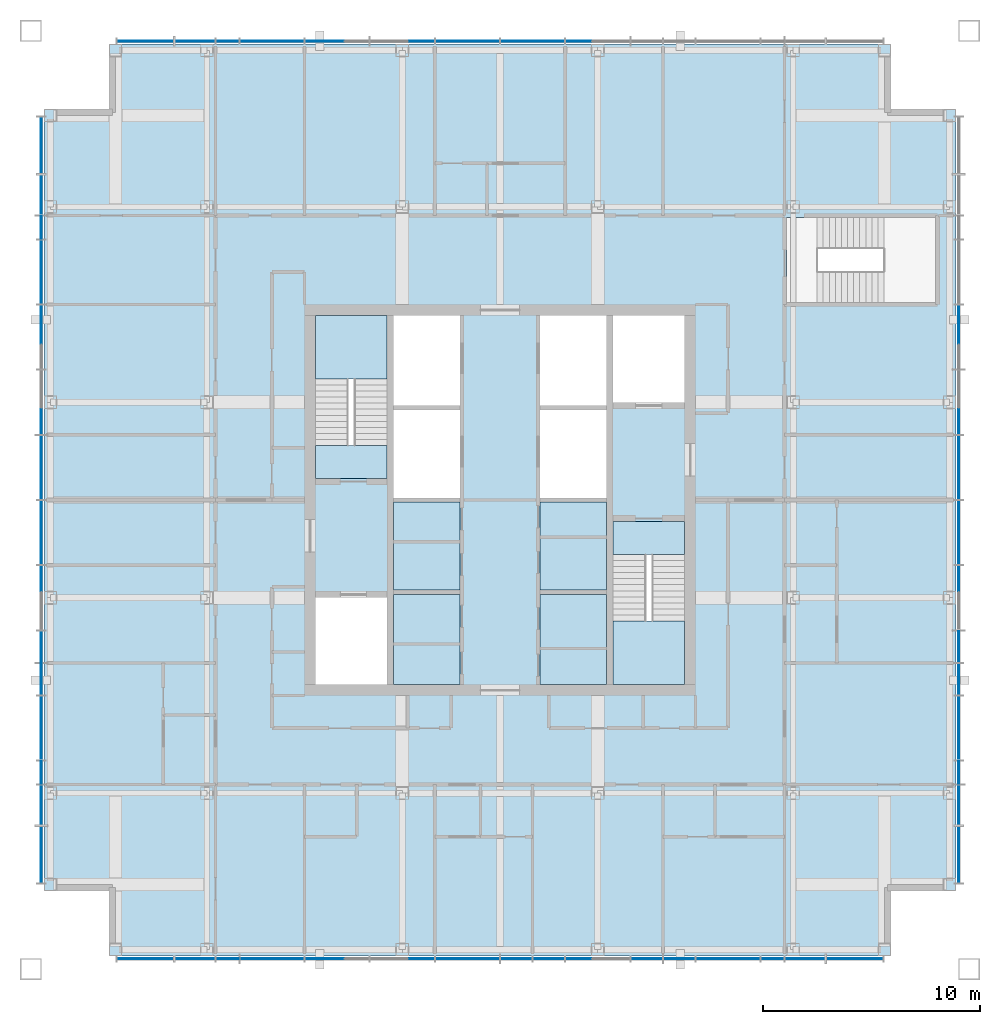
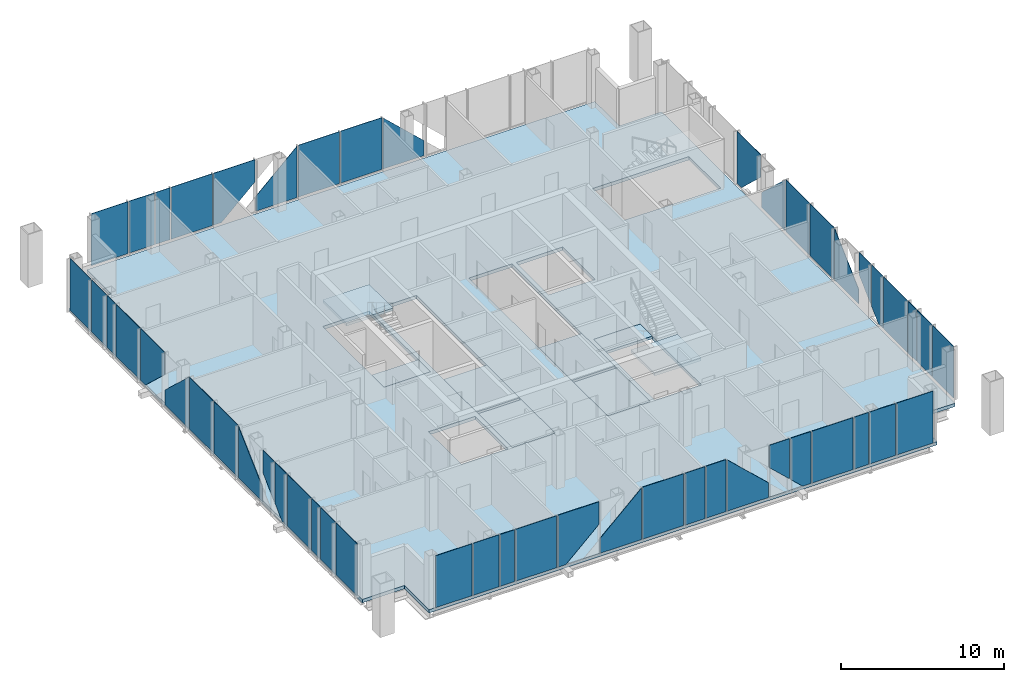
# One storey, part 6 of 12: 51 plates, 9 slabs, 6 elements without a shape of their own.
"""IFC4 building model written with IfcOpenShell, lengths in metres."""

import ifcopenshell
import ifcopenshell.guid

model = None  # the IFC model being written
_history = None  # IfcOwnerHistory: only IFC2X3 demands one
_inside = {}  # id of a spatial element -> (the spatial element, [elements in it])
_under = {}  # id of a project, library or spatial element -> (it, [spatial elements below it])
_declared = {}  # id of a project -> (the project, [libraries it declares])
_typed = {}  # id of a type object -> (the type object, [elements of that type])
_made_of = {}  # id of a material, layer set ... -> (it, [elements and type objects made of it])


def new_model(schema):
    """Start an empty IFC model of exactly this schema.

    Asked for "IFC4X3", IfcOpenShell would pick the latest addendum, in which some entities
    have other attributes; the version numbers below select the first issue.
    IFC2X3 requires an IfcOwnerHistory on every rooted entity: one is made here for all.
    """
    global model, _history
    if schema == "IFC4X3":
        model = ifcopenshell.file(schema_version=(4, 3, 0, 0))
    else:
        model = ifcopenshell.file(schema=schema)
    _inside.clear()
    _under.clear()
    _declared.clear()
    _typed.clear()
    _made_of.clear()
    _history = None
    if model.schema == "IFC2X3":
        org = make("IfcOrganization", Name="unknown")
        user = make(
            "IfcPersonAndOrganization",
            ThePerson=make("IfcPerson", FamilyName="unknown"),
            TheOrganization=org,
        )
        app = make(
            "IfcApplication",
            ApplicationDeveloper=org,
            Version="unknown",
            ApplicationFullName="unknown",
            ApplicationIdentifier="unknown",
        )
        _history = make(
            "IfcOwnerHistory",
            OwningUser=user,
            OwningApplication=app,
            ChangeAction="ADDED",
            CreationDate=0,
        )
    return model


def make(cls, **values):
    """One entity of the class cls with the attributes given. An attribute that is None is left unset."""
    return model.create_entity(
        cls, **{name: value for name, value in values.items() if value is not None}
    )


def rooted(cls, **values):
    """An entity with a GlobalId (a new one), such as an element, a storey or a relation."""
    return make(cls, GlobalId=ifcopenshell.guid.new(), OwnerHistory=_history, **values)


def si_unit(unit_type, name, prefix=None):
    """IfcSIUnit, for example si_unit("LENGTHUNIT", "METRE", prefix="MILLI")."""
    return make("IfcSIUnit", UnitType=unit_type, Prefix=prefix, Name=name)


def assignment(units):
    """IfcUnitAssignment: the units of a project."""
    return None if units is None else make("IfcUnitAssignment", Units=units)


def point(xyz):
    """IfcCartesianPoint."""
    return None if xyz is None else make("IfcCartesianPoint", Coordinates=xyz)


def direction(xyz):
    """IfcDirection."""
    return None if xyz is None else make("IfcDirection", DirectionRatios=xyz)


def frame(location, z_axis=None, x_axis=None):
    """IfcAxis2Placement3D, a coordinate frame: its origin and axes. An axis left out is left unset."""
    return make(
        "IfcAxis2Placement3D",
        Location=point(location),
        Axis=direction(z_axis),
        RefDirection=direction(x_axis),
    )


def frame_2d(location, x_axis=None):
    """IfcAxis2Placement2D, a coordinate frame in the plane: its origin and x axis."""
    return make(
        "IfcAxis2Placement2D", Location=point(location), RefDirection=direction(x_axis)
    )


def origin():
    """The frame at (0, 0, 0) with its axes left unset."""
    return frame((0.0, 0.0, 0.0))


def origin_2d():
    """The frame at (0, 0) in the plane with its x axis left unset."""
    return frame_2d((0.0, 0.0))


def place(relative_to, where):
    """IfcLocalPlacement: puts the frame where relative to a parent placement (None: the world)."""
    return make(
        "IfcLocalPlacement", PlacementRelTo=relative_to, RelativePlacement=where
    )


def context(
    kind, dimensions, precision=None, world=None, true_north=None, identifier=None
):
    """IfcGeometricRepresentationContext, for example the 3D "Model" context."""
    return make(
        "IfcGeometricRepresentationContext",
        ContextIdentifier=identifier,
        ContextType=kind,
        CoordinateSpaceDimension=dimensions,
        Precision=precision,
        WorldCoordinateSystem=world,
        TrueNorth=true_north,
    )


def subcontext(parent, identifier, kind, view, scale=None):
    """IfcGeometricRepresentationSubContext, for example "Body" below "Model"."""
    return make(
        "IfcGeometricRepresentationSubContext",
        ContextIdentifier=identifier,
        ContextType=kind,
        ParentContext=parent,
        TargetScale=scale,
        TargetView=view,
    )


def project(units=None, contexts=None):
    """IfcProject with its units and contexts."""
    return rooted(
        "IfcProject",
        Name="project",
        RepresentationContexts=contexts,
        UnitsInContext=assignment(units),
    )


def spatial(cls, under=None, at=None, **own):
    """A site, building, storey or space (cls), placed at a placement, below another one or the project."""
    s = rooted(cls, ObjectPlacement=at, **own)
    if under is not None:
        _under.setdefault(under.id(), (under, []))[1].append(s)
    return s


def polyline(points):
    """IfcPolyline through the points."""
    return make("IfcPolyline", Points=[point(p) for p in points])


def profile(cls, at=None, kind="AREA", **sizes):
    """A parametric profile (cls). Its sizes go by their IFC names, for example OverallWidth=200.0."""
    return make(cls, ProfileType=kind, Position=at, **sizes)


def rectangle(**sizes):
    """IfcRectangleProfileDef."""
    return profile("IfcRectangleProfileDef", **sizes)


def outline(outer, holes=None, kind="AREA"):
    """IfcArbitraryClosedProfileDef: a profile drawn as a closed curve; with holes, ...WithVoids."""
    if holes is None:
        return make("IfcArbitraryClosedProfileDef", ProfileType=kind, OuterCurve=outer)
    return make(
        "IfcArbitraryProfileDefWithVoids",
        ProfileType=kind,
        OuterCurve=outer,
        InnerCurves=holes,
    )


def extrude(swept, where, along, depth):
    """IfcExtrudedAreaSolid: the profile swept, set in the frame where, extruded along a direction by depth."""
    return make(
        "IfcExtrudedAreaSolid",
        SweptArea=swept,
        Position=where,
        ExtrudedDirection=direction(along),
        Depth=depth,
    )


def shape(context_of_items, identifier, shape_type, items):
    """IfcShapeRepresentation: the items that make up one representation, for example the "Body"."""
    return make(
        "IfcShapeRepresentation",
        ContextOfItems=context_of_items,
        RepresentationIdentifier=identifier,
        RepresentationType=shape_type,
        Items=items,
    )


def material(Name=None, Category=None):
    """IfcMaterial."""
    return make("IfcMaterial", Name=Name, Category=Category)


def layer(
    of_material, thickness, ventilated=None, Name=None, Category=None, Priority=None
):
    """IfcMaterialLayer: one layer of a wall or slab, of a material (None: an air gap)."""
    return make(
        "IfcMaterialLayer",
        Material=of_material,
        LayerThickness=thickness,
        IsVentilated=ventilated,
        Name=Name,
        Category=Category,
        Priority=Priority,
    )


def layer_set(layers, Name=None):
    """IfcMaterialLayerSet."""
    return make("IfcMaterialLayerSet", MaterialLayers=layers, LayerSetName=Name)


def made_of(thing, what):
    """Note that an element or type object is made of a material, layer set ...; save() writes the relation."""
    if what is not None:
        _made_of.setdefault(what.id(), (what, []))[1].append(thing)
    return thing


def type_object(cls, material=None, **own):
    """A type object (cls), such as IfcWallType, which elements share."""
    return made_of(rooted(cls, **own), material)


def element(
    cls,
    number,
    at=None,
    inside=None,
    cuts=None,
    type_object=None,
    material=None,
    context=None,
    identifier="Body",
    shape_type=None,
    held_by="IfcProductDefinitionShape",
    body=None,
    shapes=None,
    **own,
):
    """One element of the class cls, such as IfcWall. Its Tag is "e" and its number.

    at: its placement. inside: the storey or other place that contains it. cuts: it is an
    opening in that element (IfcRelVoidsElement). A single representation is given by context,
    identifier, shape_type and body (its items); several are given by shapes. held_by: the class
    of the entity that holds the representations. save() writes the other relations.
    """
    e = rooted(cls, Tag="e%d" % number, ObjectPlacement=at, **own)
    if body is not None:
        shapes = [shape(context, identifier, shape_type, body)]
    if shapes is not None:
        e.Representation = make(held_by, Representations=shapes)
    if inside is not None:
        _inside.setdefault(inside.id(), (inside, []))[1].append(e)
    if cuts is not None:
        rooted(
            "IfcRelVoidsElement", RelatingBuildingElement=cuts, RelatedOpeningElement=e
        )
    if type_object is not None:
        _typed.setdefault(type_object.id(), (type_object, []))[1].append(e)
    return made_of(e, material)


def aggregate(whole, parts):
    """IfcRelAggregates: a whole, such as a stair, and the parts it consists of."""
    return rooted("IfcRelAggregates", RelatingObject=whole, RelatedObjects=parts)


def save(model, path):
    """Write the relations noted so far, then the file.

    IfcRelAggregates (storeys below a building ...), IfcRelContainedInSpatialStructure (elements
    in a storey), IfcRelDefinesByType, IfcRelAssociatesMaterial and IfcRelDeclares: one each for
    every whole, place, type object, material and project.
    """
    for whole, parts in _under.values():
        aggregate(whole, parts)
    for where, things in _inside.values():
        rooted(
            "IfcRelContainedInSpatialStructure",
            RelatedElements=things,
            RelatingStructure=where,
        )
    for kind, things in _typed.values():
        rooted("IfcRelDefinesByType", RelatedObjects=things, RelatingType=kind)
    for what, things in _made_of.values():
        rooted("IfcRelAssociatesMaterial", RelatedObjects=things, RelatingMaterial=what)
    for by, libraries in _declared.values():
        rooted("IfcRelDeclares", RelatingContext=by, RelatedDefinitions=libraries)
    model.write(path)


model = new_model("IFC4")

# Units and contexts
model_context = context("Model", 3, precision=1e-05, world=origin(), true_north=direction((0.0, 1.0)))
body_context = subcontext(model_context, "Body", "Model", "MODEL_VIEW")
ifc_project = project(units=[si_unit("LENGTHUNIT", "METRE"), si_unit("AREAUNIT", "SQUARE_METRE"), si_unit("VOLUMEUNIT", "CUBIC_METRE"), si_unit("PLANEANGLEUNIT", "RADIAN"), si_unit("MASSUNIT", "GRAM", prefix="KILO")], contexts=[model_context])

# Site, building, storey
site_placement = place(None, origin())
site = spatial("IfcSite", under=ifc_project, at=site_placement, CompositionType="ELEMENT")
building_placement = place(site_placement, origin())
building = spatial("IfcBuilding", under=site, at=building_placement, Name="Malebo Sky Hospital", CompositionType="ELEMENT")
storey_placement = place(building_placement, frame((0.0, 0.0, 262.0)))
storey = spatial("IfcBuildingStorey", under=building, at=storey_placement, Name="L63", CompositionType="ELEMENT", Elevation=262.0)

# Slabs
ifc_material_1 = material(Name="Concrete C40/50", Category="concrete")
ifc_layer_1 = layer(ifc_material_1, 0.25)
ifc_layer_set_1 = layer_set([ifc_layer_1], Name="COMPOSITE FLOOR SLAB 250")
slab_type_1 = type_object("IfcSlabType", Name="COMPOSITE FLOOR SLAB 250", PredefinedType="FLOOR", material=ifc_layer_set_1)
slab_1_placement = place(storey_placement, frame((0.0, 0.0, -0.25)))
element("IfcSlab", 1, at=slab_1_placement, inside=storey, type_object=slab_type_1, Name="Floor slab L63", PredefinedType="FLOOR", context=body_context, shape_type="SweptSolid", body=[
    extrude(outline(polyline([(42.0, 83.0), (42.0, 80.0), (39.0, 80.0), (39.0, 44.0), (42.0, 44.0), (42.0, 41.0), (78.0, 41.0), (78.0, 44.0), (81.0, 44.0), (81.0, 80.0), (78.0, 80.0), (78.0, 83.0), (42.0, 83.0)]), holes=[polyline([(55.10009765625, 70.5), (58.14990234375, 70.5), (58.14990234375, 53.5), (55.10009765625, 53.5), (55.10009765625, 70.5)]), polyline([(64.89990234375, 70.5), (64.89990234375, 53.5), (61.85009765625, 53.5), (61.85009765625, 70.5), (64.89990234375, 70.5)]), polyline([(54.800048828125, 63.0), (51.5, 63.0), (51.5, 70.5), (54.800048828125, 70.5), (54.800048828125, 63.0)]), polyline([(51.5, 53.5), (51.5, 57.5), (54.800048828125, 57.5), (54.800048828125, 53.5), (51.5, 53.5)]), polyline([(65.199951171875, 61.0), (68.5, 61.0), (68.5, 53.5), (65.199951171875, 53.5), (65.199951171875, 61.0)]), polyline([(68.5, 70.5), (68.5, 66.5), (65.199951171875, 66.5), (65.199951171875, 70.5), (68.5, 70.5)]), polyline([(80.050048828125, 71.10009765625), (73.199951171875, 71.10009765625), (73.199951171875, 75.0), (80.050048828125, 75.0), (80.050048828125, 71.10009765625)])]), origin(), (0.0, 0.0, 1.0), 0.25),
])
ifc_layer_2 = layer(ifc_material_1, 0.25)
ifc_layer_set_2 = layer_set([ifc_layer_2], Name="SHAFT INFILL SLAB 250")
slab_type_2 = type_object("IfcSlabType", Name="SHAFT INFILL SLAB 250", PredefinedType="FLOOR", material=ifc_layer_set_2)
slab_2_placement = place(storey_placement, frame((0.0, 0.0, -0.25)))
element("IfcSlab", 2, at=slab_2_placement, inside=storey, type_object=slab_type_2, Name="Shaft infill slab W1 L63", PredefinedType="FLOOR", context=body_context, shape_type="SweptSolid", body=[
    extrude(outline(polyline([(55.10009765625, 53.5), (58.14990234375, 53.5), (58.14990234375, 57.64990234375), (55.10009765625, 57.64990234375), (55.10009765625, 53.5)])), origin(), (0.0, 0.0, 1.0), 0.25),
])
slab_3_placement = place(storey_placement, frame((0.0, 0.0, -0.25)))
element("IfcSlab", 3, at=slab_3_placement, inside=storey, type_object=slab_type_2, Name="Shaft infill slab W2 L63", PredefinedType="FLOOR", context=body_context, shape_type="SweptSolid", body=[
    extrude(outline(polyline([(55.10009765625, 57.85009765625), (58.14990234375, 57.85009765625), (58.14990234375, 61.89990234375), (55.10009765625, 61.89990234375), (55.10009765625, 57.85009765625)])), origin(), (0.0, 0.0, 1.0), 0.25),
])
slab_4_placement = place(storey_placement, frame((0.0, 0.0, -0.25)))
element("IfcSlab", 4, at=slab_4_placement, inside=storey, type_object=slab_type_2, Name="Shaft infill slab E1 L63", PredefinedType="FLOOR", context=body_context, shape_type="SweptSolid", body=[
    extrude(outline(polyline([(61.85009765625, 53.5), (64.89990234375, 53.5), (64.89990234375, 57.64990234375), (61.85009765625, 57.64990234375), (61.85009765625, 53.5)])), origin(), (0.0, 0.0, 1.0), 0.25),
])
slab_5_placement = place(storey_placement, frame((0.0, 0.0, -0.25)))
element("IfcSlab", 5, at=slab_5_placement, inside=storey, type_object=slab_type_2, Name="Shaft infill slab E2 L63", PredefinedType="FLOOR", context=body_context, shape_type="SweptSolid", body=[
    extrude(outline(polyline([(61.85009765625, 57.85009765625), (64.89990234375, 57.85009765625), (64.89990234375, 61.89990234375), (61.85009765625, 61.89990234375), (61.85009765625, 57.85009765625)])), origin(), (0.0, 0.0, 1.0), 0.25),
])

# Stair, slabs
stair_type = type_object("IfcStairType", Name="HALF-TURN STAIR 1500 R167", PredefinedType="HALF_TURN_STAIR", material=ifc_material_1)
stair_1_placement = place(storey_placement, origin())
stair_1 = element("IfcStair", 6, at=stair_1_placement, inside=storey, type_object=stair_type, Name="Stair S1 L63 type ST1", PredefinedType="HALF_TURN_STAIR")
ifc_layer_3 = layer(ifc_material_1, 0.199951171875)
ifc_layer_set_3 = layer_set([ifc_layer_3], Name="STAIR LANDING 200")
slab_type_3 = type_object("IfcSlabType", Name="STAIR LANDING 200", PredefinedType="LANDING", material=ifc_layer_set_3)
slab_6_placement = place(storey_placement, frame((0.0, 0.0, -0.199951171875)))
slab_6 = element("IfcSlab", 7, at=slab_6_placement, type_object=slab_type_3, Name="S1 landing 1", PredefinedType="LANDING", context=body_context, shape_type="SweptSolid", body=[
    extrude(outline(polyline([(51.5, 63.0), (54.800048828125, 63.0), (54.800048828125, 64.5), (51.5, 64.5), (51.5, 63.0)])), origin(), (0.0, 0.0, 1.0), 0.199951171875),
])
slab_7_placement = place(storey_placement, frame((0.0, 0.0, 1.800048828125)))
slab_7 = element("IfcSlab", 8, at=slab_7_placement, type_object=slab_type_3, Name="S1 landing 2", PredefinedType="LANDING", context=body_context, shape_type="SweptSolid", body=[
    extrude(outline(polyline([(51.5, 67.580078125), (54.800048828125, 67.580078125), (54.800048828125, 70.5), (51.5, 70.5), (51.5, 67.580078125)])), origin(), (0.0, 0.0, 1.0), 0.199951171875),
])
aggregate(stair_1, [slab_6, slab_7])

stair_2_placement = place(storey_placement, origin())
stair_2 = element("IfcStair", 9, at=stair_2_placement, inside=storey, type_object=stair_type, Name="Stair S2 L63 type ST1", PredefinedType="HALF_TURN_STAIR")
slab_8_placement = place(storey_placement, frame((0.0, 0.0, -0.199951171875)))
slab_8 = element("IfcSlab", 10, at=slab_8_placement, type_object=slab_type_3, Name="S2 landing 1", PredefinedType="LANDING", context=body_context, shape_type="SweptSolid", body=[
    extrude(outline(polyline([(65.199951171875, 59.5), (68.5, 59.5), (68.5, 61.0), (65.199951171875, 61.0), (65.199951171875, 59.5)])), origin(), (0.0, 0.0, 1.0), 0.199951171875),
])
slab_9_placement = place(storey_placement, frame((0.0, 0.0, 1.800048828125)))
slab_9 = element("IfcSlab", 11, at=slab_9_placement, type_object=slab_type_3, Name="S2 landing 2", PredefinedType="LANDING", context=body_context, shape_type="SweptSolid", body=[
    extrude(outline(polyline([(65.199951171875, 53.5), (68.5, 53.5), (68.5, 56.419921875), (65.199951171875, 56.419921875), (65.199951171875, 53.5)])), origin(), (0.0, 0.0, 1.0), 0.199951171875),
])
aggregate(stair_2, [slab_8, slab_9])

# Curtain wall, plates
ifc_material_2 = material(Name="Anodised aluminium, natural silver", Category="aluminium")
ifc_layer_4 = layer(ifc_material_2, 0.25)
ifc_layer_set_4 = layer_set([ifc_layer_4], Name="WARD CURTAIN WALL NORTH AND SOUTH")
curtain_wall_type_1 = type_object("IfcCurtainWallType", Name="WARD CURTAIN WALL NORTH AND SOUTH", PredefinedType="NOTDEFINED", material=ifc_layer_set_4)
curtain_wall_1_placement = place(storey_placement, origin())
curtain_wall_1 = element("IfcCurtainWall", 12, at=curtain_wall_1_placement, inside=storey, type_object=curtain_wall_type_1, Name="NS curtain wall N", PredefinedType="NOTDEFINED")
ifc_material_3 = material(Name="Clear low-iron double glazing", Category="glass")
ifc_layer_5 = layer(ifc_material_3, 0.031982421875)
ifc_layer_set_5 = layer_set([ifc_layer_5], Name="VISION PANEL CLEAR 32")
plate_type = type_object("IfcPlateType", Name="VISION PANEL CLEAR 32", PredefinedType="CURTAIN_PANEL", material=ifc_layer_set_5)
plate_1_placement = place(storey_placement, frame((43.668701171875, 83.125, 0.10009765625), z_axis=(0.0, 0.0, 1.0), x_axis=(1.0, 0.0, 0.0)))
plate_1 = element("IfcPlate", 13, at=plate_1_placement, type_object=plate_type, Name="Panel 1", PredefinedType="CURTAIN_PANEL", context=body_context, shape_type="SweptSolid", body=[
    extrude(rectangle(XDim=2.58740234375, YDim=0.031982421875, at=origin_2d()), origin(), (0.0, 0.0, 1.0), 3.889892578125),
])
plate_2_placement = place(storey_placement, frame((45.949951171875, 83.125, 0.10009765625), z_axis=(0.0, 0.0, 1.0), x_axis=(1.0, 0.0, 0.0)))
plate_2 = element("IfcPlate", 14, at=plate_2_placement, type_object=plate_type, Name="Panel 2", PredefinedType="CURTAIN_PANEL", context=body_context, shape_type="SweptSolid", body=[
    extrude(rectangle(XDim=1.824951171875, YDim=0.031982421875, at=origin_2d()), origin(), (0.0, 0.0, 1.0), 3.889892578125),
])
plate_3_placement = place(storey_placement, frame((47.449951171875, 83.125, 0.10009765625), z_axis=(0.0, 0.0, 1.0), x_axis=(1.0, 0.0, 0.0)))
plate_3 = element("IfcPlate", 15, at=plate_3_placement, type_object=plate_type, Name="Panel 3", PredefinedType="CURTAIN_PANEL", context=body_context, shape_type="SweptSolid", body=[
    extrude(rectangle(XDim=1.02490234375, YDim=0.031982421875, at=origin_2d()), origin(), (0.0, 0.0, 1.0), 3.889892578125),
])
plate_4_placement = place(storey_placement, frame((49.5, 83.125, 0.10009765625), z_axis=(0.0, 0.0, 1.0), x_axis=(1.0, 0.0, 0.0)))
plate_4 = element("IfcPlate", 16, at=plate_4_placement, type_object=plate_type, Name="Panel 4", PredefinedType="CURTAIN_PANEL", context=body_context, shape_type="SweptSolid", body=[
    extrude(rectangle(XDim=2.925048828125, YDim=0.031982421875, at=origin_2d()), origin(), (0.0, 0.0, 1.0), 3.889892578125),
])
plate_5_placement = place(storey_placement, frame((52.5, 83.125, 0.10009765625), z_axis=(0.0, 0.0, 1.0), x_axis=(1.0, 0.0, 0.0)))
plate_5 = element("IfcPlate", 17, at=plate_5_placement, type_object=plate_type, Name="Panel 5", PredefinedType="CURTAIN_PANEL", context=body_context, shape_type="SweptSolid", body=[
    extrude(outline(polyline([(-1.46240234375, 0.0), (-0.89208984375, 0.0), (1.46240234375, 2.20458984375), (1.46240234375, 3.889892578125), (-1.46240234375, 3.889892578125), (-1.46240234375, 0.0)])), frame((0.0, 0.01611328125, 0.0), z_axis=(0.0, -1.0, 0.0), x_axis=(1.0, 0.0, 0.0)), (0.0, 0.0, 1.0), 0.031982421875),
])
plate_6_placement = place(storey_placement, frame((55.5, 83.125, 0.10009765625), z_axis=(0.0, 0.0, 1.0), x_axis=(1.0, 0.0, 0.0)))
plate_6 = element("IfcPlate", 18, at=plate_6_placement, type_object=plate_type, Name="Panel 6", PredefinedType="CURTAIN_PANEL", context=body_context, shape_type="SweptSolid", body=[
    extrude(outline(polyline([(-1.46240234375, 0.0), (1.46240234375, 0.0), (1.46240234375, 3.847900390625), (-1.46240234375, 1.109130859375), (-1.46240234375, 0.0)])), frame((0.0, 0.01611328125, 0.0), z_axis=(0.0, -1.0, 0.0), x_axis=(1.0, 0.0, 0.0)), (0.0, 0.0, 1.0), 0.031982421875),
])
plate_7_placement = place(storey_placement, frame((58.5, 83.125, 0.10009765625), z_axis=(0.0, 0.0, 1.0), x_axis=(1.0, 0.0, 0.0)))
plate_7 = element("IfcPlate", 19, at=plate_7_placement, type_object=plate_type, Name="Panel 7", PredefinedType="CURTAIN_PANEL", context=body_context, shape_type="SweptSolid", body=[
    extrude(rectangle(XDim=2.925048828125, YDim=0.031982421875, at=origin_2d()), origin(), (0.0, 0.0, 1.0), 3.889892578125),
])
plate_8_placement = place(storey_placement, frame((61.5, 83.125, 0.10009765625), z_axis=(0.0, 0.0, 1.0), x_axis=(1.0, 0.0, 0.0)))
plate_8 = element("IfcPlate", 20, at=plate_8_placement, type_object=plate_type, Name="Panel 8", PredefinedType="CURTAIN_PANEL", context=body_context, shape_type="SweptSolid", body=[
    extrude(rectangle(XDim=2.925048828125, YDim=0.031982421875, at=origin_2d()), origin(), (0.0, 0.0, 1.0), 3.889892578125),
])
plate_9_placement = place(storey_placement, frame((64.5, 83.125, 0.10009765625), z_axis=(0.0, 0.0, 1.0), x_axis=(1.0, 0.0, 0.0)))
plate_9 = element("IfcPlate", 21, at=plate_9_placement, type_object=plate_type, Name="Panel 9", PredefinedType="CURTAIN_PANEL", context=body_context, shape_type="SweptSolid", body=[
    extrude(outline(polyline([(-1.46240234375, 0.0), (1.46240234375, 0.0), (1.46240234375, 1.109130859375), (-1.46240234375, 3.847900390625), (-1.46240234375, 0.0)])), frame((0.0, 0.01611328125, 0.0), z_axis=(0.0, -1.0, 0.0), x_axis=(1.0, 0.0, 0.0)), (0.0, 0.0, 1.0), 0.031982421875),
])
aggregate(curtain_wall_1, [plate_1, plate_2, plate_3, plate_4, plate_5, plate_6, plate_7, plate_8, plate_9])

ifc_layer_6 = layer(ifc_material_2, 0.25)
ifc_layer_set_6 = layer_set([ifc_layer_6], Name="WARD CURTAIN WALL EAST AND WEST")
curtain_wall_type_2 = type_object("IfcCurtainWallType", Name="WARD CURTAIN WALL EAST AND WEST", PredefinedType="NOTDEFINED", material=ifc_layer_set_6)
curtain_wall_2_placement = place(storey_placement, origin())
curtain_wall_2 = element("IfcCurtainWall", 22, at=curtain_wall_2_placement, inside=storey, type_object=curtain_wall_type_2, Name="EW curtain wall W", PredefinedType="NOTDEFINED")
plate_10_placement = place(storey_placement, frame((38.875, 45.668701171875, 0.10009765625), z_axis=(0.0, 0.0, 1.0), x_axis=(0.0, 1.0, 0.0)))
plate_10 = element("IfcPlate", 23, at=plate_10_placement, type_object=plate_type, Name="Panel 1", PredefinedType="CURTAIN_PANEL", context=body_context, shape_type="SweptSolid", body=[
    extrude(rectangle(XDim=2.58740234375, YDim=0.031982421875, at=origin_2d()), origin(), (0.0, 0.0, 1.0), 3.889892578125),
])
plate_11_placement = place(storey_placement, frame((38.875, 47.949951171875, 0.10009765625), z_axis=(0.0, 0.0, 1.0), x_axis=(0.0, 1.0, 0.0)))
plate_11 = element("IfcPlate", 24, at=plate_11_placement, type_object=plate_type, Name="Panel 2", PredefinedType="CURTAIN_PANEL", context=body_context, shape_type="SweptSolid", body=[
    extrude(rectangle(XDim=1.824951171875, YDim=0.031982421875, at=origin_2d()), origin(), (0.0, 0.0, 1.0), 3.889892578125),
])
plate_12_placement = place(storey_placement, frame((38.875, 49.449951171875, 0.10009765625), z_axis=(0.0, 0.0, 1.0), x_axis=(0.0, 1.0, 0.0)))
plate_12 = element("IfcPlate", 25, at=plate_12_placement, type_object=plate_type, Name="Panel 3", PredefinedType="CURTAIN_PANEL", context=body_context, shape_type="SweptSolid", body=[
    extrude(rectangle(XDim=1.02490234375, YDim=0.031982421875, at=origin_2d()), origin(), (0.0, 0.0, 1.0), 3.889892578125),
])
plate_13_placement = place(storey_placement, frame((38.875, 51.5, 0.10009765625), z_axis=(0.0, 0.0, 1.0), x_axis=(0.0, 1.0, 0.0)))
plate_13 = element("IfcPlate", 26, at=plate_13_placement, type_object=plate_type, Name="Panel 4", PredefinedType="CURTAIN_PANEL", context=body_context, shape_type="SweptSolid", body=[
    extrude(rectangle(XDim=2.925048828125, YDim=0.031982421875, at=origin_2d()), origin(), (0.0, 0.0, 1.0), 3.889892578125),
])
plate_14_placement = place(storey_placement, frame((38.875, 53.75, 0.10009765625), z_axis=(0.0, 0.0, 1.0), x_axis=(0.0, 1.0, 0.0)))
plate_14 = element("IfcPlate", 27, at=plate_14_placement, type_object=plate_type, Name="Panel 5", PredefinedType="CURTAIN_PANEL", context=body_context, shape_type="SweptSolid", body=[
    extrude(outline(polyline([(-0.71240234375, 0.0), (-0.14208984375, 0.0), (0.71240234375, 0.80029296875), (0.71240234375, 3.889892578125), (-0.71240234375, 3.889892578125), (-0.71240234375, 0.0)])), frame((0.0, 0.01611328125, 0.0), z_axis=(0.0, -1.0, 0.0), x_axis=(1.0, 0.0, 0.0)), (0.0, 0.0, 1.0), 0.031982421875),
])
plate_15_placement = place(storey_placement, frame((38.875, 55.25, 0.970458984375), z_axis=(0.0, 0.0, 1.0), x_axis=(0.0, 1.0, 0.0)))
plate_15 = element("IfcPlate", 28, at=plate_15_placement, type_object=plate_type, Name="Panel 6", PredefinedType="CURTAIN_PANEL", context=body_context, shape_type="SweptSolid", body=[
    extrude(outline(polyline([(-0.71240234375, 0.0), (0.71240234375, 1.334228515625), (0.71240234375, 3.01953125), (-0.71240234375, 3.01953125), (-0.71240234375, 0.0)])), frame((0.0, 0.01611328125, 0.0), z_axis=(0.0, -1.0, 0.0), x_axis=(1.0, 0.0, 0.0)), (0.0, 0.0, 1.0), 0.031982421875),
])
plate_16_placement = place(storey_placement, frame((38.875, 57.5, 0.10009765625), z_axis=(0.0, 0.0, 1.0), x_axis=(0.0, 1.0, 0.0)))
plate_16 = element("IfcPlate", 29, at=plate_16_placement, type_object=plate_type, Name="Panel 7", PredefinedType="CURTAIN_PANEL", context=body_context, shape_type="SweptSolid", body=[
    extrude(outline(polyline([(-1.46240234375, 0.0), (1.46240234375, 0.0), (1.46240234375, 3.847900390625), (-1.46240234375, 1.109130859375), (-1.46240234375, 0.0)])), frame((0.0, 0.01611328125, 0.0), z_axis=(0.0, -1.0, 0.0), x_axis=(1.0, 0.0, 0.0)), (0.0, 0.0, 1.0), 0.031982421875),
])
plate_17_placement = place(storey_placement, frame((38.875, 60.5, 0.10009765625), z_axis=(0.0, 0.0, 1.0), x_axis=(0.0, 1.0, 0.0)))
plate_17 = element("IfcPlate", 30, at=plate_17_placement, type_object=plate_type, Name="Panel 8", PredefinedType="CURTAIN_PANEL", context=body_context, shape_type="SweptSolid", body=[
    extrude(rectangle(XDim=2.925048828125, YDim=0.031982421875, at=origin_2d()), origin(), (0.0, 0.0, 1.0), 3.889892578125),
])
plate_18_placement = place(storey_placement, frame((38.875, 63.5, 0.10009765625), z_axis=(0.0, 0.0, 1.0), x_axis=(0.0, 1.0, 0.0)))
plate_18 = element("IfcPlate", 31, at=plate_18_placement, type_object=plate_type, Name="Panel 9", PredefinedType="CURTAIN_PANEL", context=body_context, shape_type="SweptSolid", body=[
    extrude(rectangle(XDim=2.925048828125, YDim=0.031982421875, at=origin_2d()), origin(), (0.0, 0.0, 1.0), 3.889892578125),
])
plate_19_placement = place(storey_placement, frame((38.875, 66.5, 0.10009765625), z_axis=(0.0, 0.0, 1.0), x_axis=(0.0, 1.0, 0.0)))
plate_19 = element("IfcPlate", 32, at=plate_19_placement, type_object=plate_type, Name="Panel 10", PredefinedType="CURTAIN_PANEL", context=body_context, shape_type="SweptSolid", body=[
    extrude(outline(polyline([(-1.46240234375, 0.0), (1.46240234375, 0.0), (1.46240234375, 1.109130859375), (-1.46240234375, 3.847900390625), (-1.46240234375, 0.0)])), frame((0.0, 0.01611328125, 0.0), z_axis=(0.0, -1.0, 0.0), x_axis=(1.0, 0.0, 0.0)), (0.0, 0.0, 1.0), 0.031982421875),
])
plate_20_placement = place(storey_placement, frame((38.875, 69.5, 0.10009765625), z_axis=(0.0, 0.0, 1.0), x_axis=(0.0, 1.0, 0.0)))
plate_20 = element("IfcPlate", 33, at=plate_20_placement, type_object=plate_type, Name="Panel 11", PredefinedType="CURTAIN_PANEL", context=body_context, shape_type="SweptSolid", body=[
    extrude(outline(polyline([(0.89208984375, 0.0), (1.46240234375, 0.0), (1.46240234375, 3.889892578125), (-1.46240234375, 3.889892578125), (-1.46240234375, 2.20458984375), (0.89208984375, 0.0)])), frame((0.0, 0.01611328125, 0.0), z_axis=(0.0, -1.0, 0.0), x_axis=(1.0, 0.0, 0.0)), (0.0, 0.0, 1.0), 0.031982421875),
])
plate_21_placement = place(storey_placement, frame((38.875, 72.5, 0.10009765625), z_axis=(0.0, 0.0, 1.0), x_axis=(0.0, 1.0, 0.0)))
plate_21 = element("IfcPlate", 34, at=plate_21_placement, type_object=plate_type, Name="Panel 12", PredefinedType="CURTAIN_PANEL", context=body_context, shape_type="SweptSolid", body=[
    extrude(rectangle(XDim=2.925048828125, YDim=0.031982421875, at=origin_2d()), origin(), (0.0, 0.0, 1.0), 3.889892578125),
])
plate_22_placement = place(storey_placement, frame((38.875, 74.550048828125, 0.10009765625), z_axis=(0.0, 0.0, 1.0), x_axis=(0.0, 1.0, 0.0)))
plate_22 = element("IfcPlate", 35, at=plate_22_placement, type_object=plate_type, Name="Panel 13", PredefinedType="CURTAIN_PANEL", context=body_context, shape_type="SweptSolid", body=[
    extrude(rectangle(XDim=1.02490234375, YDim=0.031982421875, at=origin_2d()), origin(), (0.0, 0.0, 1.0), 3.889892578125),
])
plate_23_placement = place(storey_placement, frame((38.875, 76.050048828125, 0.10009765625), z_axis=(0.0, 0.0, 1.0), x_axis=(0.0, 1.0, 0.0)))
plate_23 = element("IfcPlate", 36, at=plate_23_placement, type_object=plate_type, Name="Panel 14", PredefinedType="CURTAIN_PANEL", context=body_context, shape_type="SweptSolid", body=[
    extrude(rectangle(XDim=1.824951171875, YDim=0.031982421875, at=origin_2d()), origin(), (0.0, 0.0, 1.0), 3.889892578125),
])
plate_24_placement = place(storey_placement, frame((38.875, 78.331298828125, 0.10009765625), z_axis=(0.0, 0.0, 1.0), x_axis=(0.0, 1.0, 0.0)))
plate_24 = element("IfcPlate", 37, at=plate_24_placement, type_object=plate_type, Name="Panel 15", PredefinedType="CURTAIN_PANEL", context=body_context, shape_type="SweptSolid", body=[
    extrude(rectangle(XDim=2.58740234375, YDim=0.031982421875, at=origin_2d()), origin(), (0.0, 0.0, 1.0), 3.889892578125),
])
aggregate(curtain_wall_2, [plate_10, plate_11, plate_12, plate_13, plate_14, plate_15, plate_16, plate_17, plate_18, plate_19, plate_20, plate_21, plate_22, plate_23, plate_24])

curtain_wall_3_placement = place(storey_placement, origin())
curtain_wall_3 = element("IfcCurtainWall", 38, at=curtain_wall_3_placement, inside=storey, type_object=curtain_wall_type_1, Name="NS curtain wall S", PredefinedType="NOTDEFINED")
plate_25_placement = place(storey_placement, frame((76.331298828125, 40.875, 0.10009765625), z_axis=(0.0, 0.0, 1.0), x_axis=(-1.0, 0.0, 0.0)))
plate_25 = element("IfcPlate", 39, at=plate_25_placement, type_object=plate_type, Name="Panel 1", PredefinedType="CURTAIN_PANEL", context=body_context, shape_type="SweptSolid", body=[
    extrude(rectangle(XDim=2.58740234375, YDim=0.031982421875, at=origin_2d()), origin(), (0.0, 0.0, 1.0), 3.889892578125),
])
plate_26_placement = place(storey_placement, frame((74.050048828125, 40.875, 0.10009765625), z_axis=(0.0, 0.0, 1.0), x_axis=(-1.0, 0.0, 0.0)))
plate_26 = element("IfcPlate", 40, at=plate_26_placement, type_object=plate_type, Name="Panel 2", PredefinedType="CURTAIN_PANEL", context=body_context, shape_type="SweptSolid", body=[
    extrude(rectangle(XDim=1.824951171875, YDim=0.031982421875, at=origin_2d()), origin(), (0.0, 0.0, 1.0), 3.889892578125),
])
plate_27_placement = place(storey_placement, frame((72.550048828125, 40.875, 0.10009765625), z_axis=(0.0, 0.0, 1.0), x_axis=(-1.0, 0.0, 0.0)))
plate_27 = element("IfcPlate", 41, at=plate_27_placement, type_object=plate_type, Name="Panel 3", PredefinedType="CURTAIN_PANEL", context=body_context, shape_type="SweptSolid", body=[
    extrude(rectangle(XDim=1.02490234375, YDim=0.031982421875, at=origin_2d()), origin(), (0.0, 0.0, 1.0), 3.889892578125),
])
plate_28_placement = place(storey_placement, frame((70.5, 40.875, 0.10009765625), z_axis=(0.0, 0.0, 1.0), x_axis=(-1.0, 0.0, 0.0)))
plate_28 = element("IfcPlate", 42, at=plate_28_placement, type_object=plate_type, Name="Panel 4", PredefinedType="CURTAIN_PANEL", context=body_context, shape_type="SweptSolid", body=[
    extrude(rectangle(XDim=2.925048828125, YDim=0.031982421875, at=origin_2d()), origin(), (0.0, 0.0, 1.0), 3.889892578125),
])
plate_29_placement = place(storey_placement, frame((68.25, 40.875, 0.10009765625), z_axis=(0.0, 0.0, 1.0), x_axis=(-1.0, 0.0, 0.0)))
plate_29 = element("IfcPlate", 43, at=plate_29_placement, type_object=plate_type, Name="Panel 5", PredefinedType="CURTAIN_PANEL", context=body_context, shape_type="SweptSolid", body=[
    extrude(outline(polyline([(-0.71240234375, 0.0), (-0.14208984375, 0.0), (0.71240234375, 0.80029296875), (0.71240234375, 3.889892578125), (-0.71240234375, 3.889892578125), (-0.71240234375, 0.0)])), frame((0.0, 0.01611328125, 0.0), z_axis=(0.0, -1.0, 0.0), x_axis=(1.0, 0.0, 0.0)), (0.0, 0.0, 1.0), 0.031982421875),
])
plate_30_placement = place(storey_placement, frame((66.75, 40.875, 0.970458984375), z_axis=(0.0, 0.0, 1.0), x_axis=(-1.0, 0.0, 0.0)))
plate_30 = element("IfcPlate", 44, at=plate_30_placement, type_object=plate_type, Name="Panel 6", PredefinedType="CURTAIN_PANEL", context=body_context, shape_type="SweptSolid", body=[
    extrude(outline(polyline([(-0.71240234375, 0.0), (0.71240234375, 1.334228515625), (0.71240234375, 3.01953125), (-0.71240234375, 3.01953125), (-0.71240234375, 0.0)])), frame((0.0, 0.01611328125, 0.0), z_axis=(0.0, -1.0, 0.0), x_axis=(1.0, 0.0, 0.0)), (0.0, 0.0, 1.0), 0.031982421875),
])
plate_31_placement = place(storey_placement, frame((64.5, 40.875, 0.10009765625), z_axis=(0.0, 0.0, 1.0), x_axis=(-1.0, 0.0, 0.0)))
plate_31 = element("IfcPlate", 45, at=plate_31_placement, type_object=plate_type, Name="Panel 7", PredefinedType="CURTAIN_PANEL", context=body_context, shape_type="SweptSolid", body=[
    extrude(outline(polyline([(-1.46240234375, 0.0), (1.46240234375, 0.0), (1.46240234375, 3.847900390625), (-1.46240234375, 1.109130859375), (-1.46240234375, 0.0)])), frame((0.0, 0.01611328125, 0.0), z_axis=(0.0, -1.0, 0.0), x_axis=(1.0, 0.0, 0.0)), (0.0, 0.0, 1.0), 0.031982421875),
])
plate_32_placement = place(storey_placement, frame((62.25, 40.875, 0.10009765625), z_axis=(0.0, 0.0, 1.0), x_axis=(-1.0, 0.0, 0.0)))
plate_32 = element("IfcPlate", 46, at=plate_32_placement, type_object=plate_type, Name="Panel 8", PredefinedType="CURTAIN_PANEL", context=body_context, shape_type="SweptSolid", body=[
    extrude(rectangle(XDim=1.425048828125, YDim=0.031982421875, at=origin_2d()), origin(), (0.0, 0.0, 1.0), 3.889892578125),
])
plate_33_placement = place(storey_placement, frame((60.75, 40.875, 0.10009765625), z_axis=(0.0, 0.0, 1.0), x_axis=(-1.0, 0.0, 0.0)))
plate_33 = element("IfcPlate", 47, at=plate_33_placement, type_object=plate_type, Name="Panel 9", PredefinedType="CURTAIN_PANEL", context=body_context, shape_type="SweptSolid", body=[
    extrude(rectangle(XDim=1.425048828125, YDim=0.031982421875, at=origin_2d()), origin(), (0.0, 0.0, 1.0), 3.889892578125),
])
plate_34_placement = place(storey_placement, frame((58.5, 40.875, 0.10009765625), z_axis=(0.0, 0.0, 1.0), x_axis=(-1.0, 0.0, 0.0)))
plate_34 = element("IfcPlate", 48, at=plate_34_placement, type_object=plate_type, Name="Panel 10", PredefinedType="CURTAIN_PANEL", context=body_context, shape_type="SweptSolid", body=[
    extrude(rectangle(XDim=2.925048828125, YDim=0.031982421875, at=origin_2d()), origin(), (0.0, 0.0, 1.0), 3.889892578125),
])
plate_35_placement = place(storey_placement, frame((55.5, 40.875, 0.10009765625), z_axis=(0.0, 0.0, 1.0), x_axis=(-1.0, 0.0, 0.0)))
plate_35 = element("IfcPlate", 49, at=plate_35_placement, type_object=plate_type, Name="Panel 11", PredefinedType="CURTAIN_PANEL", context=body_context, shape_type="SweptSolid", body=[
    extrude(outline(polyline([(-1.46240234375, 0.0), (1.46240234375, 0.0), (1.46240234375, 1.109130859375), (-1.46240234375, 3.847900390625), (-1.46240234375, 0.0)])), frame((0.0, 0.01611328125, 0.0), z_axis=(0.0, -1.0, 0.0), x_axis=(1.0, 0.0, 0.0)), (0.0, 0.0, 1.0), 0.031982421875),
])
plate_36_placement = place(storey_placement, frame((52.5, 40.875, 0.10009765625), z_axis=(0.0, 0.0, 1.0), x_axis=(-1.0, 0.0, 0.0)))
plate_36 = element("IfcPlate", 50, at=plate_36_placement, type_object=plate_type, Name="Panel 12", PredefinedType="CURTAIN_PANEL", context=body_context, shape_type="SweptSolid", body=[
    extrude(outline(polyline([(0.89208984375, 0.0), (1.46240234375, 0.0), (1.46240234375, 3.889892578125), (-1.46240234375, 3.889892578125), (-1.46240234375, 2.20458984375), (0.89208984375, 0.0)])), frame((0.0, 0.01611328125, 0.0), z_axis=(0.0, -1.0, 0.0), x_axis=(1.0, 0.0, 0.0)), (0.0, 0.0, 1.0), 0.031982421875),
])
plate_37_placement = place(storey_placement, frame((49.5, 40.875, 0.10009765625), z_axis=(0.0, 0.0, 1.0), x_axis=(-1.0, 0.0, 0.0)))
plate_37 = element("IfcPlate", 51, at=plate_37_placement, type_object=plate_type, Name="Panel 13", PredefinedType="CURTAIN_PANEL", context=body_context, shape_type="SweptSolid", body=[
    extrude(rectangle(XDim=2.925048828125, YDim=0.031982421875, at=origin_2d()), origin(), (0.0, 0.0, 1.0), 3.889892578125),
])
plate_38_placement = place(storey_placement, frame((47.449951171875, 40.875, 0.10009765625), z_axis=(0.0, 0.0, 1.0), x_axis=(-1.0, 0.0, 0.0)))
plate_38 = element("IfcPlate", 52, at=plate_38_placement, type_object=plate_type, Name="Panel 14", PredefinedType="CURTAIN_PANEL", context=body_context, shape_type="SweptSolid", body=[
    extrude(rectangle(XDim=1.02490234375, YDim=0.031982421875, at=origin_2d()), origin(), (0.0, 0.0, 1.0), 3.889892578125),
])
plate_39_placement = place(storey_placement, frame((45.949951171875, 40.875, 0.10009765625), z_axis=(0.0, 0.0, 1.0), x_axis=(-1.0, 0.0, 0.0)))
plate_39 = element("IfcPlate", 53, at=plate_39_placement, type_object=plate_type, Name="Panel 15", PredefinedType="CURTAIN_PANEL", context=body_context, shape_type="SweptSolid", body=[
    extrude(rectangle(XDim=1.824951171875, YDim=0.031982421875, at=origin_2d()), origin(), (0.0, 0.0, 1.0), 3.889892578125),
])
plate_40_placement = place(storey_placement, frame((43.668701171875, 40.875, 0.10009765625), z_axis=(0.0, 0.0, 1.0), x_axis=(-1.0, 0.0, 0.0)))
plate_40 = element("IfcPlate", 54, at=plate_40_placement, type_object=plate_type, Name="Panel 16", PredefinedType="CURTAIN_PANEL", context=body_context, shape_type="SweptSolid", body=[
    extrude(rectangle(XDim=2.58740234375, YDim=0.031982421875, at=origin_2d()), origin(), (0.0, 0.0, 1.0), 3.889892578125),
])
aggregate(curtain_wall_3, [plate_25, plate_26, plate_27, plate_28, plate_29, plate_30, plate_31, plate_32, plate_33, plate_34, plate_35, plate_36, plate_37, plate_38, plate_39, plate_40])

curtain_wall_4_placement = place(storey_placement, origin())
curtain_wall_4 = element("IfcCurtainWall", 55, at=curtain_wall_4_placement, inside=storey, type_object=curtain_wall_type_2, Name="EW curtain wall E", PredefinedType="NOTDEFINED")
plate_41_placement = place(storey_placement, frame((81.125, 69.5, 0.10009765625), z_axis=(0.0, 0.0, 1.0), x_axis=(0.0, -1.0, 0.0)))
plate_41 = element("IfcPlate", 56, at=plate_41_placement, type_object=plate_type, Name="Panel 5", PredefinedType="CURTAIN_PANEL", context=body_context, shape_type="SweptSolid", body=[
    extrude(outline(polyline([(-1.46240234375, 0.0), (-0.89208984375, 0.0), (1.46240234375, 2.20458984375), (1.46240234375, 3.889892578125), (-1.46240234375, 3.889892578125), (-1.46240234375, 0.0)])), frame((0.0, 0.01611328125, 0.0), z_axis=(0.0, -1.0, 0.0), x_axis=(1.0, 0.0, 0.0)), (0.0, 0.0, 1.0), 0.031982421875),
])
plate_42_placement = place(storey_placement, frame((81.125, 66.5, 0.10009765625), z_axis=(0.0, 0.0, 1.0), x_axis=(0.0, -1.0, 0.0)))
plate_42 = element("IfcPlate", 57, at=plate_42_placement, type_object=plate_type, Name="Panel 6", PredefinedType="CURTAIN_PANEL", context=body_context, shape_type="SweptSolid", body=[
    extrude(outline(polyline([(-1.46240234375, 0.0), (1.46240234375, 0.0), (1.46240234375, 3.847900390625), (-1.46240234375, 1.109130859375), (-1.46240234375, 0.0)])), frame((0.0, 0.01611328125, 0.0), z_axis=(0.0, -1.0, 0.0), x_axis=(1.0, 0.0, 0.0)), (0.0, 0.0, 1.0), 0.031982421875),
])
plate_43_placement = place(storey_placement, frame((81.125, 63.5, 0.10009765625), z_axis=(0.0, 0.0, 1.0), x_axis=(0.0, -1.0, 0.0)))
plate_43 = element("IfcPlate", 58, at=plate_43_placement, type_object=plate_type, Name="Panel 7", PredefinedType="CURTAIN_PANEL", context=body_context, shape_type="SweptSolid", body=[
    extrude(rectangle(XDim=2.925048828125, YDim=0.031982421875, at=origin_2d()), origin(), (0.0, 0.0, 1.0), 3.889892578125),
])
plate_44_placement = place(storey_placement, frame((81.125, 60.5, 0.10009765625), z_axis=(0.0, 0.0, 1.0), x_axis=(0.0, -1.0, 0.0)))
plate_44 = element("IfcPlate", 59, at=plate_44_placement, type_object=plate_type, Name="Panel 8", PredefinedType="CURTAIN_PANEL", context=body_context, shape_type="SweptSolid", body=[
    extrude(rectangle(XDim=2.925048828125, YDim=0.031982421875, at=origin_2d()), origin(), (0.0, 0.0, 1.0), 3.889892578125),
])
plate_45_placement = place(storey_placement, frame((81.125, 57.5, 0.10009765625), z_axis=(0.0, 0.0, 1.0), x_axis=(0.0, -1.0, 0.0)))
plate_45 = element("IfcPlate", 60, at=plate_45_placement, type_object=plate_type, Name="Panel 9", PredefinedType="CURTAIN_PANEL", context=body_context, shape_type="SweptSolid", body=[
    extrude(outline(polyline([(-1.46240234375, 0.0), (1.46240234375, 0.0), (1.46240234375, 1.109130859375), (-1.46240234375, 3.847900390625), (-1.46240234375, 0.0)])), frame((0.0, 0.01611328125, 0.0), z_axis=(0.0, -1.0, 0.0), x_axis=(1.0, 0.0, 0.0)), (0.0, 0.0, 1.0), 0.031982421875),
])
plate_46_placement = place(storey_placement, frame((81.125, 55.25, 0.970458984375), z_axis=(0.0, 0.0, 1.0), x_axis=(0.0, -1.0, 0.0)))
plate_46 = element("IfcPlate", 61, at=plate_46_placement, type_object=plate_type, Name="Panel 10", PredefinedType="CURTAIN_PANEL", context=body_context, shape_type="SweptSolid", body=[
    extrude(outline(polyline([(0.71240234375, 0.0), (0.71240234375, 3.01953125), (-0.71240234375, 3.01953125), (-0.71240234375, 1.334228515625), (0.71240234375, 0.0)])), frame((0.0, 0.01611328125, 0.0), z_axis=(0.0, -1.0, 0.0), x_axis=(1.0, 0.0, 0.0)), (0.0, 0.0, 1.0), 0.031982421875),
])
plate_47_placement = place(storey_placement, frame((81.125, 53.75, 0.10009765625), z_axis=(0.0, 0.0, 1.0), x_axis=(0.0, -1.0, 0.0)))
plate_47 = element("IfcPlate", 62, at=plate_47_placement, type_object=plate_type, Name="Panel 11", PredefinedType="CURTAIN_PANEL", context=body_context, shape_type="SweptSolid", body=[
    extrude(outline(polyline([(0.14208984375, 0.0), (0.71240234375, 0.0), (0.71240234375, 3.889892578125), (-0.71240234375, 3.889892578125), (-0.71240234375, 0.80029296875), (0.14208984375, 0.0)])), frame((0.0, 0.01611328125, 0.0), z_axis=(0.0, -1.0, 0.0), x_axis=(1.0, 0.0, 0.0)), (0.0, 0.0, 1.0), 0.031982421875),
])
plate_48_placement = place(storey_placement, frame((81.125, 51.5, 0.10009765625), z_axis=(0.0, 0.0, 1.0), x_axis=(0.0, -1.0, 0.0)))
plate_48 = element("IfcPlate", 63, at=plate_48_placement, type_object=plate_type, Name="Panel 12", PredefinedType="CURTAIN_PANEL", context=body_context, shape_type="SweptSolid", body=[
    extrude(rectangle(XDim=2.925048828125, YDim=0.031982421875, at=origin_2d()), origin(), (0.0, 0.0, 1.0), 3.889892578125),
])
plate_49_placement = place(storey_placement, frame((81.125, 49.449951171875, 0.10009765625), z_axis=(0.0, 0.0, 1.0), x_axis=(0.0, -1.0, 0.0)))
plate_49 = element("IfcPlate", 64, at=plate_49_placement, type_object=plate_type, Name="Panel 13", PredefinedType="CURTAIN_PANEL", context=body_context, shape_type="SweptSolid", body=[
    extrude(rectangle(XDim=1.02490234375, YDim=0.031982421875, at=origin_2d()), origin(), (0.0, 0.0, 1.0), 3.889892578125),
])
plate_50_placement = place(storey_placement, frame((81.125, 47.949951171875, 0.10009765625), z_axis=(0.0, 0.0, 1.0), x_axis=(0.0, -1.0, 0.0)))
plate_50 = element("IfcPlate", 65, at=plate_50_placement, type_object=plate_type, Name="Panel 14", PredefinedType="CURTAIN_PANEL", context=body_context, shape_type="SweptSolid", body=[
    extrude(rectangle(XDim=1.824951171875, YDim=0.031982421875, at=origin_2d()), origin(), (0.0, 0.0, 1.0), 3.889892578125),
])
plate_51_placement = place(storey_placement, frame((81.125, 45.668701171875, 0.10009765625), z_axis=(0.0, 0.0, 1.0), x_axis=(0.0, -1.0, 0.0)))
plate_51 = element("IfcPlate", 66, at=plate_51_placement, type_object=plate_type, Name="Panel 15", PredefinedType="CURTAIN_PANEL", context=body_context, shape_type="SweptSolid", body=[
    extrude(rectangle(XDim=2.58740234375, YDim=0.031982421875, at=origin_2d()), origin(), (0.0, 0.0, 1.0), 3.889892578125),
])
aggregate(curtain_wall_4, [plate_41, plate_42, plate_43, plate_44, plate_45, plate_46, plate_47, plate_48, plate_49, plate_50, plate_51])

save(model, "model.ifc")
